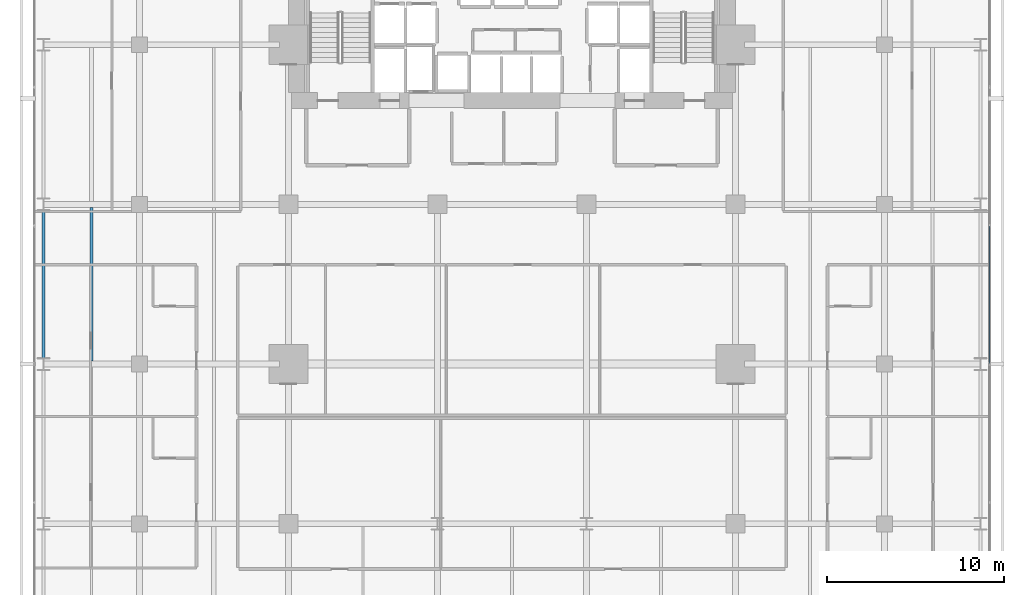
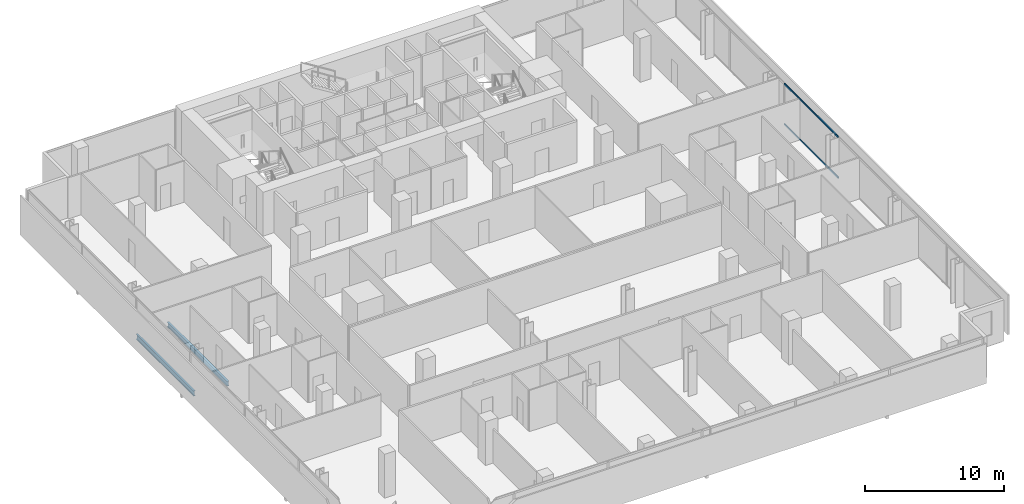
# One storey, part 20 of 40: 2 beams, 2 members, 1 element without a shape of its own.
"""IFC4 building model written with IfcOpenShell, lengths in metres."""

from ifc_helpers import new_model, si_unit, direction, frame, origin, origin_2d, place, context, subcontext, project, spatial, hollow_rectangle, i_section, extrude, material, layer, layer_set, material_profile, profile_set, type_object, element, aggregate, save


model = new_model("IFC4")

# Units and contexts
model_context = context("Model", 3, precision=1e-05, world=origin(), true_north=direction((0.0, 1.0)))
body_context = subcontext(model_context, "Body", "Model", "MODEL_VIEW")
ifc_project = project(units=[si_unit("LENGTHUNIT", "METRE"), si_unit("AREAUNIT", "SQUARE_METRE"), si_unit("VOLUMEUNIT", "CUBIC_METRE"), si_unit("PLANEANGLEUNIT", "RADIAN"), si_unit("MASSUNIT", "GRAM", prefix="KILO")], contexts=[model_context])

# Site, building, storey
site_placement = place(None, origin())
site = spatial("IfcSite", under=ifc_project, at=site_placement, CompositionType="ELEMENT")
building_placement = place(site_placement, origin())
building = spatial("IfcBuilding", under=site, at=building_placement, Name="Maruvema Waterfront Hotel and Observation Tower", CompositionType="ELEMENT")
storey_placement = place(building_placement, frame((0.0, 0.0, 73.14990234375)))
storey = spatial("IfcBuildingStorey", under=building, at=storey_placement, Name="L17", CompositionType="ELEMENT", Elevation=73.14990234375)

# Curtain wall, members
ifc_material_1 = material(Name="Anodised bronze aluminium and solar-control low-E IGU", Category="aluminium")
ifc_layer = layer(ifc_material_1, 0.159912109375, Name="Zone 1 Bronze Inner Thermal Curtain Wall System CW-02")
ifc_layer_set = layer_set([ifc_layer], Name="Anodised bronze aluminium and solar-control low-E IGU")
curtain_wall_type = type_object("IfcCurtainWallType", Name="Zone 1 Bronze Inner Thermal Curtain Wall System CW-02", PredefinedType="USERDEFINED", material=ifc_layer_set)
curtain_wall_placement = place(storey_placement, origin())
curtain_wall = element("IfcCurtainWall", 1, at=curtain_wall_placement, inside=storey, type_object=curtain_wall_type, Name="L17 Curtain Wall CW-L17-E", ObjectType="UNITISED CURTAIN WALL", PredefinedType="USERDEFINED")
ifc_material_2 = material(Name="Anodised architectural bronze aluminium", Category="aluminium")
ifc_material_profile_1 = material_profile(ifc_material_2, hollow_rectangle(XDim=0.070068359375, YDim=0.14990234375, WallThickness=0.00390625, at=origin_2d()), Name="ALU-T70x150")
ifc_profile_set_1 = profile_set([ifc_material_profile_1], Name="Anodised architectural bronze aluminium")
member_type = type_object("IfcMemberType", Name="Curtain Wall Horizontal Transom ALU-T70x150", PredefinedType="USERDEFINED", material=ifc_profile_set_1)
member_1_placement = place(storey_placement, frame((64.719970703125, 27.030029296875, 0.030029296875), z_axis=(0.0, 1.0, 0.0), x_axis=(-1.0, 0.0, 0.0)))
member_1 = element("IfcMember", 2, at=member_1_placement, type_object=member_type, Name="CW-02 transom 4.1", ObjectType="TRANSOM", PredefinedType="USERDEFINED", context=body_context, shape_type="SweptSolid", body=[
    extrude(hollow_rectangle(XDim=0.070068359375, YDim=0.14990234375, WallThickness=0.00390625, at=origin_2d()), origin(), (0.0, 0.0, 1.0), 7.739990234375),
])
member_2_placement = place(storey_placement, frame((64.719970703125, 27.030029296875, 3.580078125), z_axis=(0.0, 1.0, 0.0), x_axis=(-1.0, 0.0, 0.0)))
member_2 = element("IfcMember", 3, at=member_2_placement, type_object=member_type, Name="CW-02 transom 4.2", ObjectType="TRANSOM", PredefinedType="USERDEFINED", context=body_context, shape_type="SweptSolid", body=[
    extrude(hollow_rectangle(XDim=0.070068359375, YDim=0.14990234375, WallThickness=0.00390625, at=origin_2d()), origin(), (0.0, 0.0, 1.0), 7.739990234375),
])
aggregate(curtain_wall, [member_1, member_2])

# Beams
ifc_material_3 = material(Name="Steel ASTM A572 Grade 50", Category="steel")
ifc_material_profile_2 = material_profile(ifc_material_3, i_section(OverallWidth=0.153076171875, OverallDepth=0.455078125, WebThickness=0.008056640625, FlangeThickness=0.01318359375, FilletRadius=0.014892578125, at=origin_2d()), Name="W460x60.0")
ifc_profile_set_2 = profile_set([ifc_material_profile_2], Name="Steel ASTM A572 Grade 50")
beam_type_1 = type_object("IfcBeamType", Name="Perimeter Spandrel Beam W460x60.0", PredefinedType="SPANDREL", material=ifc_profile_set_2)
beam_1_placement = place(storey_placement, frame((11.39990234375, 27.35009765625, -0.46728515625), z_axis=(0.0, 1.0, 0.0), x_axis=(-1.0, 0.0, 0.0)))
element("IfcBeam", 4, at=beam_1_placement, inside=storey, type_object=beam_type_1, Name="L17 Floor Girder NS-03", PredefinedType="SPANDREL", context=body_context, shape_type="SweptSolid", body=[
    extrude(i_section(OverallWidth=0.153076171875, OverallDepth=0.455078125, WebThickness=0.008056640625, FlangeThickness=0.01318359375, FilletRadius=0.014892578125, at=origin_2d()), origin(), (0.0, 0.0, 1.0), 8.2998046875),
])
ifc_material_4 = material(Name="Steel ASTM A572 Grade 50", Category="steel")
ifc_material_profile_3 = material_profile(ifc_material_4, i_section(OverallWidth=0.177001953125, OverallDepth=0.403076171875, WebThickness=0.007568359375, FlangeThickness=0.010986328125, FilletRadius=0.014892578125, at=origin_2d()), Name="W410x53.0")
ifc_profile_set_3 = profile_set([ifc_material_profile_3], Name="Steel ASTM A572 Grade 50")
beam_type_2 = type_object("IfcBeamType", Name="Secondary Floor Joist W410x53.0", PredefinedType="JOIST", material=ifc_profile_set_3)
beam_2_placement = place(storey_placement, frame((14.10009765625, 27.16357421875, -0.44140625), z_axis=(0.0, 1.0, 0.0), x_axis=(-1.0, 0.0, 0.0)))
element("IfcBeam", 5, at=beam_2_placement, inside=storey, type_object=beam_type_2, Name="L17 Secondary Floor Joist JS-03", PredefinedType="JOIST", context=body_context, shape_type="SweptSolid", body=[
    extrude(i_section(OverallWidth=0.177001953125, OverallDepth=0.403076171875, WebThickness=0.007568359375, FlangeThickness=0.010986328125, FilletRadius=0.014892578125, at=origin_2d()), origin(), (0.0, 0.0, 1.0), 8.6728515625),
])

save(model, "model.ifc")
